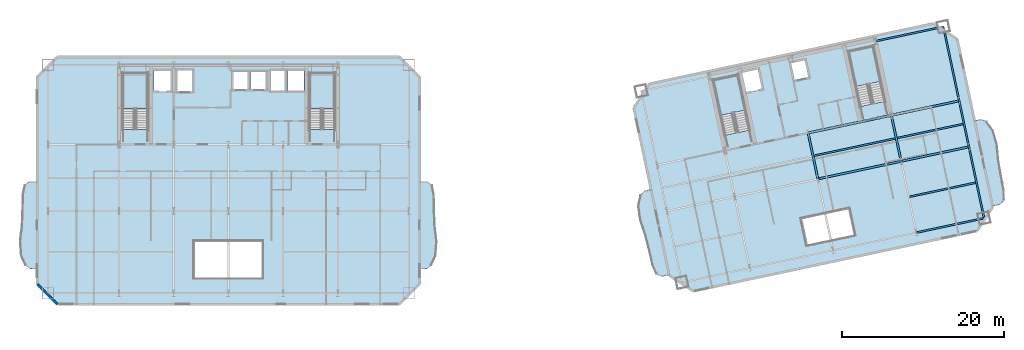
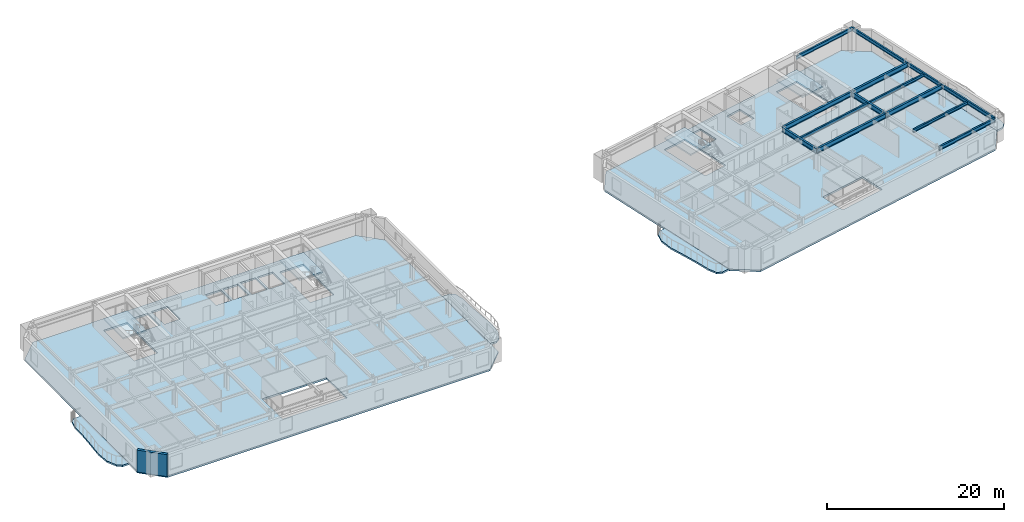
# One storey, part 4 of 13: 14 beams, 10 slabs, 1 wall, 4 elements without a shape of their own.
"""IFC4 building model written with IfcOpenShell, lengths in metres."""

from ifc_helpers import new_model, si_unit, direction, frame, frame_2d, origin, origin_2d, place, context, subcontext, project, spatial, polyline, rectangle, i_section, outline, extrude, material, layer, layer_set, material_profile, profile_set, type_object, element, aggregate, save


model = new_model("IFC4")

# Units and contexts
model_context = context("Model", 3, precision=1e-05, world=origin(), true_north=direction((0.0, 1.0)))
body_context = subcontext(model_context, "Body", "Model", "MODEL_VIEW")
ifc_project = project(units=[si_unit("LENGTHUNIT", "METRE"), si_unit("AREAUNIT", "SQUARE_METRE"), si_unit("VOLUMEUNIT", "CUBIC_METRE"), si_unit("PLANEANGLEUNIT", "RADIAN"), si_unit("MASSUNIT", "GRAM", prefix="KILO")], contexts=[model_context])

# Site, building, storey
site_placement = place(None, origin())
site = spatial("IfcSite", under=ifc_project, at=site_placement, CompositionType="ELEMENT")
building_placement = place(site_placement, origin())
building = spatial("IfcBuilding", under=site, at=building_placement, Name="Haevon Station Towers", CompositionType="ELEMENT")
storey_placement = place(building_placement, frame((0.0, 0.0, 96.60009765625)))
storey = spatial("IfcBuildingStorey", under=building, at=storey_placement, Name="L25", CompositionType="ELEMENT", Elevation=96.60009765625)

# Beams
ifc_material_1 = material(Name="Steel S355", Category="steel")
ifc_material_profile_1 = material_profile(ifc_material_1, i_section(OverallWidth=0.25, OverallDepth=0.64990234375, WebThickness=0.012939453125, FlangeThickness=0.02197265625, at=origin_2d()), Name="H-650x250x13x22")
ifc_profile_set_1 = profile_set([ifc_material_profile_1], Name="Steel S355")
beam_type_1 = type_object("IfcBeamType", Name="BM-G650", PredefinedType="BEAM", material=ifc_profile_set_1)
beam_1_placement = place(storey_placement, frame((110.228759765625, 33.9521484375, 2.724853515625), z_axis=(0.978146794194, 0.207915485254, 0.0), x_axis=(-0.207915485254, 0.978146794194, 0.0)))
element("IfcBeam", 1, at=beam_1_placement, inside=storey, type_object=beam_type_1, Name="BM-T2U-L25-02-03", PredefinedType="BEAM", context=body_context, shape_type="SweptSolid", body=[
    extrude(i_section(OverallWidth=0.25, OverallDepth=0.64990234375, WebThickness=0.012939453125, FlangeThickness=0.02197265625, at=origin_2d()), origin(), (0.0, 0.0, 1.0), 10.5),
])
beam_2_placement = place(storey_placement, frame((120.499267578125, 36.13525390625, 2.724853515625), z_axis=(0.978149560998, 0.207902468287, 0.0), x_axis=(-0.207902468287, 0.978149560998, 0.0)))
element("IfcBeam", 2, at=beam_2_placement, inside=storey, type_object=beam_type_1, Name="BM-T2U-L25-02-04", PredefinedType="BEAM", context=body_context, shape_type="SweptSolid", body=[
    extrude(i_section(OverallWidth=0.25, OverallDepth=0.64990234375, WebThickness=0.012939453125, FlangeThickness=0.02197265625, at=origin_2d()), origin(), (0.0, 0.0, 1.0), 8.550048828125),
])
beam_3_placement = place(storey_placement, frame((109.02294921875, 39.62548828125, 2.724853515625), z_axis=(0.978146794194, 0.207915485254, 0.0), x_axis=(-0.207915485254, 0.978146794194, 0.0)))
element("IfcBeam", 3, at=beam_3_placement, inside=storey, type_object=beam_type_1, Name="BM-T2U-L25-03-03", PredefinedType="BEAM", context=body_context, shape_type="SweptSolid", body=[
    extrude(i_section(OverallWidth=0.25, OverallDepth=0.64990234375, WebThickness=0.012939453125, FlangeThickness=0.02197265625, at=origin_2d()), origin(), (0.0, 0.0, 1.0), 10.5),
])
beam_4_placement = place(storey_placement, frame((119.29345703125, 41.80859375, 2.724853515625), z_axis=(0.978148326739, 0.2079082752, 0.0), x_axis=(-0.2079082752, 0.978148326739, 0.0)))
element("IfcBeam", 4, at=beam_4_placement, inside=storey, type_object=beam_type_1, Name="BM-T2U-L25-03-04", PredefinedType="BEAM", context=body_context, shape_type="SweptSolid", body=[
    extrude(i_section(OverallWidth=0.25, OverallDepth=0.64990234375, WebThickness=0.012939453125, FlangeThickness=0.02197265625, at=origin_2d()), origin(), (0.0, 0.0, 1.0), 8.5498046875),
])
for number, where, z_axis, x_axis, name in (
    (5, (110.228759765625, 33.9521484375, 2.724853515625), (-0.207896009217, 0.97815093383, 0.0), (-0.97815093383, -0.207896009217, 0.0), "BM-T2V-L25-03-02"),
    (6, (120.499267578125, 36.13525390625, 2.724853515625), (-0.207896009217, 0.97815093383, 0.0), (-0.97815093383, -0.207896009217, 0.0), "BM-T2V-L25-04-02"),
):
    element("IfcBeam", number, at=place(storey_placement, frame(where, z_axis=z_axis, x_axis=x_axis)), inside=storey, type_object=beam_type_1, Name=name, PredefinedType="BEAM", context=body_context, shape_type="SweptSolid", body=[
        extrude(i_section(OverallWidth=0.25, OverallDepth=0.64990234375, WebThickness=0.012939453125, FlangeThickness=0.02197265625, at=origin_2d()), origin(), (0.0, 0.0, 1.0), 5.800048828125),
    ])
ifc_material_profile_2 = material_profile(ifc_material_1, i_section(OverallWidth=0.199951171875, OverallDepth=0.39990234375, WebThickness=0.008056640625, FlangeThickness=0.012939453125, at=origin_2d()), Name="H-400x200x8x13")
ifc_profile_set_2 = profile_set([ifc_material_profile_2], Name="Steel S355")
beam_type_2 = type_object("IfcBeamType", Name="BM-J400", PredefinedType="JOIST", material=ifc_profile_set_2)
beam_5_placement = place(storey_placement, frame((121.54248046875, 31.756591796875, 2.849853515625), z_axis=(0.978146782292, 0.207915541247, 0.0), x_axis=(-0.207915541247, 0.978146782292, 0.0)))
element("IfcBeam", 7, at=beam_5_placement, inside=storey, type_object=beam_type_2, Name="BM-T2J-L25-01-04", PredefinedType="JOIST", context=body_context, shape_type="SweptSolid", body=[
    extrude(i_section(OverallWidth=0.199951171875, OverallDepth=0.39990234375, WebThickness=0.008056640625, FlangeThickness=0.012939453125, at=origin_2d()), origin(), (0.0, 0.0, 1.0), 8.330078125),
])
beam_6_placement = place(storey_placement, frame((109.7333984375, 36.811767578125, 2.849853515625), z_axis=(0.978150339653, 0.207898804801, 0.0), x_axis=(-0.207898804801, 0.978150339653, 0.0)))
element("IfcBeam", 8, at=beam_6_placement, inside=storey, type_object=beam_type_2, Name="BM-T2J-L25-02-03", PredefinedType="JOIST", context=body_context, shape_type="SweptSolid", body=[
    extrude(i_section(OverallWidth=0.199951171875, OverallDepth=0.39990234375, WebThickness=0.008056640625, FlangeThickness=0.012939453125, at=origin_2d()), origin(), (0.0, 0.0, 1.0), 10.280029296875),
])
beam_7_placement = place(storey_placement, frame((120.00390625, 38.994873046875, 2.849853515625), z_axis=(0.978146782292, 0.207915541247, 0.0), x_axis=(-0.207915541247, 0.978146782292, 0.0)))
element("IfcBeam", 9, at=beam_7_placement, inside=storey, type_object=beam_type_2, Name="BM-T2J-L25-02-04", PredefinedType="JOIST", context=body_context, shape_type="SweptSolid", body=[
    extrude(i_section(OverallWidth=0.199951171875, OverallDepth=0.39990234375, WebThickness=0.008056640625, FlangeThickness=0.012939453125, at=origin_2d()), origin(), (0.0, 0.0, 1.0), 8.330078125),
])
ifc_material_profile_3 = material_profile(ifc_material_1, i_section(OverallWidth=0.199951171875, OverallDepth=0.5, WebThickness=0.010009765625, FlangeThickness=0.01611328125, at=origin_2d()), Name="H-500x200x10x16")
ifc_profile_set_3 = profile_set([ifc_material_profile_3], Name="Steel S355")
beam_type_3 = type_object("IfcBeamType", Name="BM-SP500", PredefinedType="SPANDREL", material=ifc_profile_set_3)
beam_8_placement = place(storey_placement, frame((122.37060546875, 27.33203125, 2.7998046875), z_axis=(0.978148326739, 0.2079082752, 0.0), x_axis=(-0.2079082752, 0.978148326739, 0.0)))
element("IfcBeam", 10, at=beam_8_placement, inside=storey, type_object=beam_type_3, Name="BM-T2U-L25-01-04", PredefinedType="SPANDREL", context=body_context, shape_type="SweptSolid", body=[
    extrude(i_section(OverallWidth=0.199951171875, OverallDepth=0.5, WebThickness=0.010009765625, FlangeThickness=0.01611328125, at=origin_2d()), origin(), (0.0, 0.0, 1.0), 8.5498046875),
])
beam_9_placement = place(storey_placement, frame((117.349365234375, 50.954345703125, 2.7998046875), z_axis=(0.978149560998, 0.207902468287, 0.0), x_axis=(-0.207902468287, 0.978149560998, 0.0)))
element("IfcBeam", 11, at=beam_9_placement, inside=storey, type_object=beam_type_3, Name="BM-T2U-L25-04-04", PredefinedType="SPANDREL", context=body_context, shape_type="SweptSolid", body=[
    extrude(i_section(OverallWidth=0.199951171875, OverallDepth=0.5, WebThickness=0.010009765625, FlangeThickness=0.01611328125, at=origin_2d()), origin(), (0.0, 0.0, 1.0), 8.550048828125),
])
beam_10_placement = place(storey_placement, frame((130.733642578125, 29.109619140625, 2.7998046875), z_axis=(-0.20790223038, 0.978149611564, 0.0), x_axis=(-0.978149611564, -0.20790223038, 0.0)))
element("IfcBeam", 12, at=beam_10_placement, inside=storey, type_object=beam_type_3, Name="BM-T2V-L25-05-01", PredefinedType="SPANDREL", context=body_context, shape_type="SweptSolid", body=[
    extrude(i_section(OverallWidth=0.199951171875, OverallDepth=0.5, WebThickness=0.010009765625, FlangeThickness=0.01611328125, at=origin_2d()), origin(), (0.0, 0.0, 1.0), 8.999755859375),
])
beam_11_placement = place(storey_placement, frame((128.862548828125, 37.912841796875, 2.7998046875), z_axis=(-0.207936282142, 0.978142373363, 0.0), x_axis=(-0.978142373363, -0.207936282142, 0.0)))
element("IfcBeam", 13, at=beam_11_placement, inside=storey, type_object=beam_type_3, Name="BM-T2V-L25-05-02", PredefinedType="SPANDREL", context=body_context, shape_type="SweptSolid", body=[
    extrude(i_section(OverallWidth=0.199951171875, OverallDepth=0.5, WebThickness=0.010009765625, FlangeThickness=0.01611328125, at=origin_2d()), origin(), (0.0, 0.0, 1.0), 5.800048828125),
])
beam_12_placement = place(storey_placement, frame((127.656494140625, 43.586181640625, 2.7998046875), z_axis=(-0.207897167074, 0.978150687738, 0.0), x_axis=(-0.978150687738, -0.207897167074, 0.0)))
element("IfcBeam", 14, at=beam_12_placement, inside=storey, type_object=beam_type_3, Name="BM-T2V-L25-05-03", PredefinedType="SPANDREL", context=body_context, shape_type="SweptSolid", body=[
    extrude(i_section(OverallWidth=0.199951171875, OverallDepth=0.5, WebThickness=0.010009765625, FlangeThickness=0.01611328125, at=origin_2d()), origin(), (0.0, 0.0, 1.0), 9.35009765625),
])

# Slabs
ifc_material_2 = material(Name="Concrete C40/50", Category="concrete")
ifc_layer_1 = layer(ifc_material_2, 0.219970703125)
ifc_layer_set_1 = layer_set([ifc_layer_1], Name="Concrete C40/50")
slab_type_1 = type_object("IfcSlabType", Name="SL-BALC220", PredefinedType="FLOOR", material=ifc_layer_set_1)
slab_1_placement = place(storey_placement, frame((0.0, 0.0, -0.22021484375)))
element("IfcSlab", 15, at=slab_1_placement, inside=storey, type_object=slab_type_1, Name="Tower 1 L25 West SCALLOPED BALCONY", PredefinedType="FLOOR", context=body_context, shape_type="SweptSolid", body=[
    extrude(outline(polyline([(13.89501953125, 33.64990234375), (12.937744140625, 33.64990234375), (12.396484375, 33.239013671875), (12.15185546875, 32.068359375), (12.11181640625, 30.31640625), (11.974365234375, 28.25), (11.794921875, 26.18359375), (11.941162109375, 24.431640625), (12.484619140625, 23.260986328125), (13.044921875, 22.85009765625), (13.89501953125, 22.85009765625), (13.89501953125, 33.64990234375)])), origin(), (0.0, 0.0, 1.0), 0.22021484375),
])
slab_2_placement = place(storey_placement, frame((0.0, 0.0, -0.22021484375)))
element("IfcSlab", 16, at=slab_2_placement, inside=storey, type_object=slab_type_1, Name="Tower 1 L25 East SCALLOPED BALCONY", PredefinedType="FLOOR", context=body_context, shape_type="SweptSolid", body=[
    extrude(outline(polyline([(61.10498046875, 22.85009765625), (61.955078125, 22.85009765625), (62.515380859375, 23.260986328125), (63.058837890625, 24.431640625), (63.205078125, 26.18359375), (63.025634765625, 28.25), (62.88818359375, 30.31640625), (62.84814453125, 32.068359375), (62.603515625, 33.239013671875), (62.062255859375, 33.64990234375), (61.10498046875, 33.64990234375), (61.10498046875, 22.85009765625)])), origin(), (0.0, 0.0, 1.0), 0.22021484375),
])
slab_3_placement = place(storey_placement, frame((0.0, 0.0, -0.22021484375)))
element("IfcSlab", 17, at=slab_3_placement, inside=storey, type_object=slab_type_1, Name="Tower 2 L25 West SCALLOPED BALCONY", PredefinedType="FLOOR", context=body_context, shape_type="SweptSolid", body=[
    extrude(outline(polyline([(89.640869140625, 32.668701171875), (88.809326171875, 32.491943359375), (88.3466796875, 31.973388671875), (88.058349609375, 30.71533203125), (88.279541015625, 28.971435546875), (88.884765625, 26.9873046875), (89.448974609375, 24.99462890625), (89.852294921875, 23.289306640625), (90.3349609375, 22.195068359375), (90.94970703125, 21.90576171875), (91.88623046875, 22.104736328125), (89.640869140625, 32.668701171875)])), origin(), (0.0, 0.0, 1.0), 0.22021484375),
])
slab_4_placement = place(storey_placement, frame((0.0, 0.0, -0.22021484375)))
element("IfcSlab", 18, at=slab_4_placement, inside=storey, type_object=slab_type_1, Name="Tower 2 L25 East SCALLOPED BALCONY", PredefinedType="FLOOR", context=body_context, shape_type="SweptSolid", body=[
    extrude(outline(polyline([(131.804443359375, 30.589599609375), (132.74072265625, 30.78857421875), (133.184814453125, 31.30322265625), (133.1806640625, 32.4990234375), (132.85546875, 34.220947265625), (132.560302734375, 36.270751953125), (132.30615234375, 38.32958984375), (131.799072265625, 40.0126953125), (131.02392578125, 41.044677734375), (130.390380859375, 41.330322265625), (129.558837890625, 41.153564453125), (131.804443359375, 30.589599609375)])), origin(), (0.0, 0.0, 1.0), 0.22021484375),
])

# Stair, slab
stair_type = type_object("IfcStairType", Name="STR-DL1450", PredefinedType="USERDEFINED", material=ifc_material_2)
stair_1_placement = place(storey_placement, origin())
stair_1 = element("IfcStair", 19, at=stair_1_placement, inside=storey, type_object=stair_type, Name="L25 Escape Stair ST1", ObjectType="TWO_RETURN_STAIR", PredefinedType="USERDEFINED")
ifc_layer_2 = layer(ifc_material_2, 0.199951171875)
ifc_layer_set_2 = layer_set([ifc_layer_2], Name="Concrete C40/50")
slab_type_2 = type_object("IfcSlabType", Name="SL-LND200", PredefinedType="LANDING", material=ifc_layer_set_2)
slab_5_placement = place(storey_placement, frame((0.0, 0.0, 1.449951171875)))
slab_5 = element("IfcSlab", 20, at=slab_5_placement, type_object=slab_type_2, Name="L25 ST1 Half Landing 1", PredefinedType="LANDING", context=body_context, shape_type="SweptSolid", body=[
    extrude(outline(polyline([(27.580078125, 42.56396484375), (27.580078125, 47.0), (24.47998046875, 47.0), (24.47998046875, 42.56396484375), (27.580078125, 42.56396484375)])), origin(), (0.0, 0.0, 1.0), 0.199951171875),
])
aggregate(stair_1, [slab_5])

stair_2_placement = place(storey_placement, origin())
stair_2 = element("IfcStair", 21, at=stair_2_placement, inside=storey, type_object=stair_type, Name="L25 Escape Stair ST2", ObjectType="TWO_RETURN_STAIR", PredefinedType="USERDEFINED")
slab_6_placement = place(storey_placement, frame((0.0, 0.0, 1.449951171875)))
slab_6 = element("IfcSlab", 22, at=slab_6_placement, type_object=slab_type_2, Name="L25 ST2 Half Landing 1", PredefinedType="LANDING", context=body_context, shape_type="SweptSolid", body=[
    extrude(outline(polyline([(50.6201171875, 42.56396484375), (50.6201171875, 47.0), (47.52001953125, 47.0), (47.52001953125, 42.56396484375), (50.6201171875, 42.56396484375)])), origin(), (0.0, 0.0, 1.0), 0.199951171875),
])
aggregate(stair_2, [slab_6])

stair_3_placement = place(storey_placement, origin())
stair_3 = element("IfcStair", 23, at=stair_3_placement, inside=storey, type_object=stair_type, Name="L25 Escape Stair ST3", ObjectType="TWO_RETURN_STAIR", PredefinedType="USERDEFINED")
slab_7_placement = place(storey_placement, frame((0.0, 0.0, 1.449951171875)))
slab_7 = element("IfcSlab", 24, at=slab_7_placement, type_object=slab_type_2, Name="L25 ST3 Half Landing 1", PredefinedType="LANDING", context=body_context, shape_type="SweptSolid", body=[
    extrude(outline(polyline([(101.2880859375, 42.44287109375), (100.36572265625, 46.781982421875), (97.33349609375, 46.137451171875), (98.255859375, 41.79833984375), (101.2880859375, 42.44287109375)])), origin(), (0.0, 0.0, 1.0), 0.199951171875),
])
aggregate(stair_3, [slab_7])

stair_4_placement = place(storey_placement, origin())
stair_4 = element("IfcStair", 25, at=stair_4_placement, inside=storey, type_object=stair_type, Name="L25 Escape Stair ST4", ObjectType="TWO_RETURN_STAIR", PredefinedType="USERDEFINED")
slab_8_placement = place(storey_placement, frame((0.0, 0.0, 1.449951171875)))
slab_8 = element("IfcSlab", 26, at=slab_8_placement, type_object=slab_type_2, Name="L25 ST4 Half Landing 1", PredefinedType="LANDING", context=body_context, shape_type="SweptSolid", body=[
    extrude(outline(polyline([(117.975341796875, 45.989990234375), (117.052978515625, 50.328857421875), (114.020751953125, 49.684326171875), (114.943115234375, 45.345458984375), (117.975341796875, 45.989990234375)])), origin(), (0.0, 0.0, 1.0), 0.199951171875),
])
aggregate(stair_4, [slab_8])

# Slabs
ifc_layer_3 = layer(ifc_material_2, 0.25)
ifc_layer_set_3 = layer_set([ifc_layer_3], Name="Concrete C40/50")
slab_type_3 = type_object("IfcSlabType", Name="SL-TW250", PredefinedType="FLOOR", material=ifc_layer_set_3)
slab_9_placement = place(storey_placement, frame((0.0, 0.0, -0.25)))
element("IfcSlab", 27, at=slab_9_placement, inside=storey, type_object=slab_type_3, Name="SL-T1-L25", PredefinedType="FLOOR", context=body_context, shape_type="SweptSolid", body=[
    extrude(outline(polyline([(16.39990234375, 18.5), (58.60009765625, 18.5), (61.10009765625, 21.0), (61.10009765625, 46.5), (58.60009765625, 49.0), (16.39990234375, 49.0), (13.89990234375, 46.5), (13.89990234375, 21.0), (16.39990234375, 18.5)]), holes=[polyline([(27.580078125, 40.055908203125), (27.580078125, 47.0), (24.47998046875, 47.0), (24.47998046875, 40.055908203125), (27.580078125, 40.055908203125)]), polyline([(50.6201171875, 40.055908203125), (50.6201171875, 47.0), (47.52001953125, 47.0), (47.52001953125, 40.055908203125), (50.6201171875, 40.055908203125)]), polyline([(28.300048828125, 44.699951171875), (30.5, 44.699951171875), (30.5, 47.39990234375), (28.300048828125, 47.39990234375), (28.300048828125, 44.699951171875)]), polyline([(31.050048828125, 44.60009765625), (33.14990234375, 44.60009765625), (33.14990234375, 47.5), (31.050048828125, 47.5), (31.050048828125, 44.60009765625)]), polyline([(38.0, 44.89990234375), (40.0, 44.89990234375), (40.0, 47.300048828125), (38.0, 47.300048828125), (38.0, 44.89990234375)]), polyline([(40.25, 44.89990234375), (42.25, 44.89990234375), (42.25, 47.300048828125), (40.25, 47.300048828125), (40.25, 44.89990234375)]), polyline([(42.60009765625, 44.699951171875), (44.60009765625, 44.699951171875), (44.60009765625, 47.39990234375), (42.60009765625, 47.39990234375), (42.60009765625, 44.699951171875)]), polyline([(44.85009765625, 44.699951171875), (46.85009765625, 44.699951171875), (46.85009765625, 47.39990234375), (44.85009765625, 47.39990234375), (44.85009765625, 44.699951171875)]), polyline([(33.300048828125, 21.699951171875), (41.699951171875, 21.699951171875), (41.699951171875, 26.300048828125), (33.300048828125, 26.300048828125), (33.300048828125, 21.699951171875)])]), origin(), (0.0, 0.0, 1.0), 0.25),
])
slab_10_placement = place(storey_placement, frame((0.0, 0.0, -0.25)))
element("IfcSlab", 28, at=slab_10_placement, inside=storey, type_object=slab_type_3, Name="SL-T2-L25", PredefinedType="FLOOR", context=body_context, shape_type="SweptSolid", body=[
    extrude(outline(polyline([(94.871826171875, 20.106689453125), (129.889404296875, 27.550048828125), (131.815185546875, 30.51513671875), (127.417724609375, 51.202880859375), (124.45263671875, 53.128662109375), (89.43505859375, 45.685302734375), (87.50927734375, 42.72021484375), (91.90673828125, 22.032470703125), (94.871826171875, 20.106689453125)]), holes=[polyline([(101.8095703125, 39.98974609375), (100.36572265625, 46.781982421875), (97.33349609375, 46.137451171875), (98.77734375, 39.34521484375), (101.8095703125, 39.98974609375)]), polyline([(118.496826171875, 43.53662109375), (117.052978515625, 50.328857421875), (114.020751953125, 49.684326171875), (115.464599609375, 42.89208984375), (118.496826171875, 43.53662109375)]), polyline([(101.43212890625, 44.554931640625), (103.486328125, 44.99169921875), (102.9248046875, 47.632568359375), (100.870849609375, 47.196044921875), (101.43212890625, 44.554931640625)]), polyline([(107.259521484375, 45.998046875), (109.2158203125, 46.413818359375), (108.716796875, 48.761474609375), (106.760498046875, 48.345703125), (107.259521484375, 45.998046875)]), polyline([(108.90576171875, 25.747802734375), (114.774658203125, 26.995361328125), (114.067626953125, 30.321044921875), (108.19873046875, 29.073486328125), (108.90576171875, 25.747802734375)])]), origin(), (0.0, 0.0, 1.0), 0.25),
])

# Wall
ifc_material_3 = material(Name="Precast concrete C45/55", Category="concrete")
ifc_layer_4 = layer(ifc_material_3, 0.320068359375)
ifc_layer_set_4 = layer_set([ifc_layer_4], Name="Precast concrete C45/55")
wall_type = type_object("IfcWallType", Name="WL-EXT-PIER320", PredefinedType="SOLIDWALL", material=ifc_layer_set_4)
wall_placement = place(storey_placement, frame((16.39990234375, 18.5, 0.0), z_axis=(0.0, 0.0, 1.0), x_axis=(-0.707106781187, 0.707106781187, 0.0)))
element("IfcWall", 29, at=wall_placement, inside=storey, type_object=wall_type, Name="WL-T1-L25-SWC", PredefinedType="SOLIDWALL", context=body_context, shape_type="SweptSolid", body=[
    extrude(rectangle(XDim=3.53564453125, YDim=0.320068359375, at=frame_2d((1.767822265625, 0.0))), origin(), (0.0, 0.0, 1.0), 3.02978515625),
])

save(model, "model.ifc")
